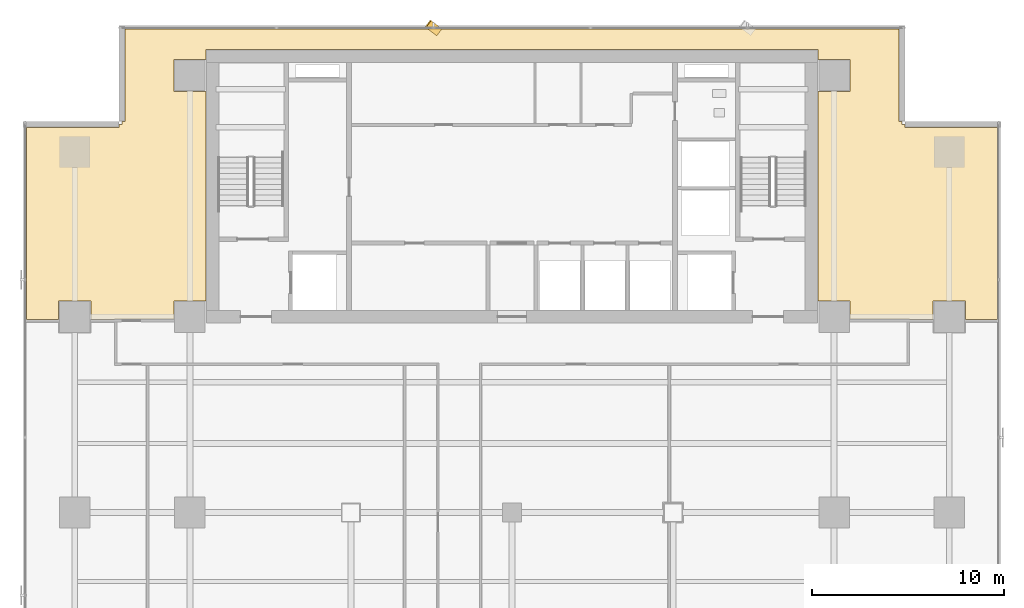
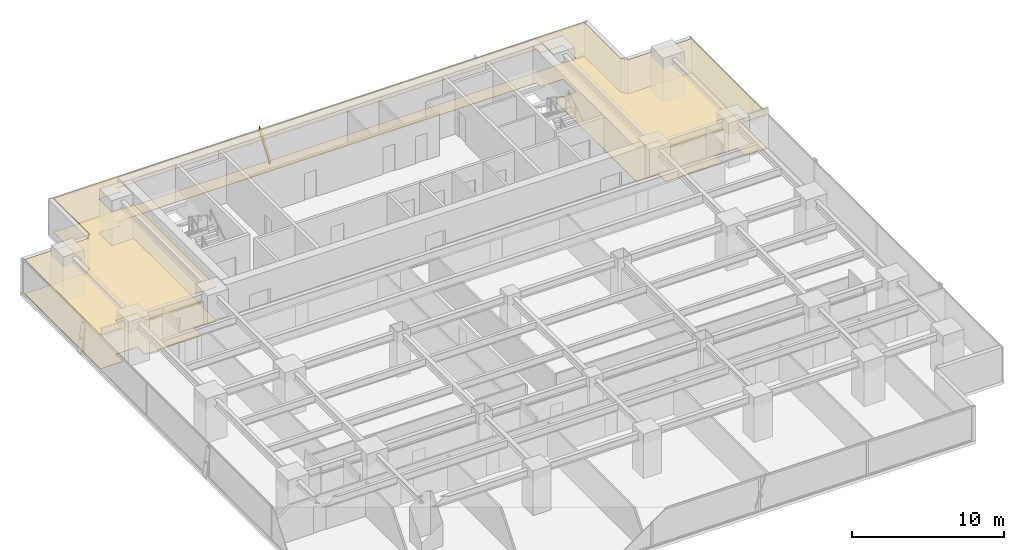
# One storey, part 34 of 36: 2 coverings, 1 shading device.
"""IFC4 building model written with IfcOpenShell, lengths in metres."""

from ifc_helpers import new_model, si_unit, direction, frame, origin, origin_2d, place, context, subcontext, project, spatial, polyline, rectangle, outline, extrude, source, transform, mapped, material, layer, layer_set, material_profile, profile_set, type_object, element, save


model = new_model("IFC4")

# Units and contexts
model_context = context("Model", 3, precision=1e-05, world=origin(), true_north=direction((0.0, 1.0)))
body_context = subcontext(model_context, "Body", "Model", "MODEL_VIEW")
ifc_project = project(units=[si_unit("LENGTHUNIT", "METRE"), si_unit("AREAUNIT", "SQUARE_METRE"), si_unit("VOLUMEUNIT", "CUBIC_METRE"), si_unit("PLANEANGLEUNIT", "RADIAN"), si_unit("MASSUNIT", "GRAM", prefix="KILO")], contexts=[model_context])

# Site, building, storey
site_placement = place(None, origin())
site = spatial("IfcSite", under=ifc_project, at=site_placement, CompositionType="ELEMENT")
building_placement = place(site_placement, origin())
building = spatial("IfcBuilding", under=site, at=building_placement, Name="Sumidabori Civic Tower", CompositionType="ELEMENT")
storey_placement = place(building_placement, frame((0.0, 0.0, 84.800048828125)))
storey = spatial("IfcBuildingStorey", under=building, at=storey_placement, Name="L21", CompositionType="ELEMENT", Elevation=84.800048828125)

# Coverings
ifc_material_1 = material(Name="Anodised Bronze Baffle Ceiling")
ifc_layer_1 = layer(ifc_material_1, 0.054931640625, Name="Anodised Bronze Baffle Ceiling")
ifc_layer_set_1 = layer_set([ifc_layer_1], Name="Anodised Bronze Baffle Ceiling")
covering_type_1 = type_object("IfcCoveringType", Name="CV-CEIL-AC3", PredefinedType="CEILING", material=ifc_layer_set_1)
covering_1_placement = place(storey_placement, frame((0.0, 0.0, 2.7099609375)))
element("IfcCovering", 1, at=covering_1_placement, inside=storey, type_object=covering_type_1, Name="Room Acoustic Ceiling L21-01", PredefinedType="CEILING", context=body_context, shape_type="SweptSolid", body=[
    extrude(outline(polyline([(-25.330078125, 10.080078125), (-25.330078125, 20.072021484375), (-20.491943359375, 20.072021484375), (-20.491943359375, 20.22998046875), (-20.330078125, 20.22998046875), (-20.330078125, 20.39208984375), (-20.172119140625, 20.39208984375), (-20.172119140625, 25.22998046875), (20.172119140625, 25.22998046875), (20.172119140625, 20.39208984375), (20.330078125, 20.39208984375), (20.330078125, 20.22998046875), (20.491943359375, 20.22998046875), (20.491943359375, 20.072021484375), (25.330078125, 20.072021484375), (25.330078125, 10.080078125), (23.639892578125, 10.080078125), (23.639892578125, 11.0400390625), (21.9599609375, 11.0400390625), (21.9599609375, 10.080078125), (20.739990234375, 10.080078125), (20.739990234375, 10.090087890625), (17.639892578125, 10.090087890625), (17.639892578125, 11.0400390625), (15.952880859375, 11.0400390625), (15.952880859375, 21.9599609375), (17.639892578125, 21.9599609375), (17.639892578125, 23.639892578125), (15.952880859375, 23.639892578125), (15.952880859375, 24.153076171875), (-15.952880859375, 24.153076171875), (-15.952880859375, 23.639892578125), (-17.639892578125, 23.639892578125), (-17.639892578125, 21.9599609375), (-15.952880859375, 21.9599609375), (-15.952880859375, 11.0400390625), (-17.639892578125, 11.0400390625), (-17.639892578125, 10.090087890625), (-20.739990234375, 10.090087890625), (-20.739990234375, 10.080078125), (-21.9599609375, 10.080078125), (-21.9599609375, 11.0400390625), (-23.639892578125, 11.0400390625), (-23.639892578125, 10.080078125), (-25.330078125, 10.080078125)])), origin(), (0.0, 0.0, 1.0), 0.054931640625),
])
ifc_material_2 = material(Name="Honed Terrazzo Tile Flooring")
ifc_layer_2 = layer(ifc_material_2, 0.030029296875, Name="Honed Terrazzo Tile Flooring")
ifc_layer_set_2 = layer_set([ifc_layer_2], Name="Honed Terrazzo Tile Flooring")
covering_type_2 = type_object("IfcCoveringType", Name="CV-FLR-TER", PredefinedType="FLOORING", material=ifc_layer_set_2)
covering_2_placement = place(storey_placement, origin())
element("IfcCovering", 2, at=covering_2_placement, inside=storey, type_object=covering_type_2, Name="Room Terrazzo Floor L21-01", PredefinedType="FLOORING", context=body_context, shape_type="SweptSolid", body=[
    extrude(outline(polyline([(-25.330078125, 10.080078125), (-25.330078125, 20.072021484375), (-20.491943359375, 20.072021484375), (-20.491943359375, 20.22998046875), (-20.330078125, 20.22998046875), (-20.330078125, 20.39208984375), (-20.172119140625, 20.39208984375), (-20.172119140625, 25.22998046875), (20.172119140625, 25.22998046875), (20.172119140625, 20.39208984375), (20.330078125, 20.39208984375), (20.330078125, 20.22998046875), (20.491943359375, 20.22998046875), (20.491943359375, 20.072021484375), (25.330078125, 20.072021484375), (25.330078125, 10.080078125), (23.639892578125, 10.080078125), (23.639892578125, 11.0400390625), (21.9599609375, 11.0400390625), (21.9599609375, 10.080078125), (20.739990234375, 10.080078125), (20.739990234375, 10.090087890625), (17.639892578125, 10.090087890625), (17.639892578125, 11.0400390625), (15.952880859375, 11.0400390625), (15.952880859375, 21.9599609375), (17.639892578125, 21.9599609375), (17.639892578125, 23.639892578125), (15.952880859375, 23.639892578125), (15.952880859375, 24.153076171875), (-15.952880859375, 24.153076171875), (-15.952880859375, 23.639892578125), (-17.639892578125, 23.639892578125), (-17.639892578125, 21.9599609375), (-15.952880859375, 21.9599609375), (-15.952880859375, 11.0400390625), (-17.639892578125, 11.0400390625), (-17.639892578125, 10.090087890625), (-20.739990234375, 10.090087890625), (-20.739990234375, 10.080078125), (-21.9599609375, 10.080078125), (-21.9599609375, 11.0400390625), (-23.639892578125, 11.0400390625), (-23.639892578125, 10.080078125), (-25.330078125, 10.080078125)])), origin(), (0.0, 0.0, 1.0), 0.030029296875),
])

# Shading device
ifc_material_3 = material(Name="Anodised Bronze Aluminium AW-6063-T6", Category="aluminium")
ifc_material_profile = material_profile(ifc_material_3, rectangle(XDim=0.06005859375, YDim=0.449951171875, at=origin_2d()), Name="BRONZE FIN 450x60")
ifc_profile_set = profile_set([ifc_material_profile], Name="Anodised Bronze Aluminium AW-6063-T6")
shading_device_type = type_object("IfcShadingDeviceType", Name="SH-FIN-450", PredefinedType="USERDEFINED", material=ifc_profile_set)
shared_shape = source(origin(), body_context, "Body", "SweptSolid", [
    extrude(rectangle(XDim=0.06005859375, YDim=0.449951171875, at=origin_2d()), origin(), (0.0, 0.0, 1.0), 2.769775390625),
])
shading_device_placement = place(storey_placement, frame((-3.81396484375, 25.070068359375, 0.02001953125), z_axis=(-0.202198633998, 0.151604904305, 0.967538973582), x_axis=(0.774112159528, -0.58041539424, 0.252721852241)))
element("IfcShadingDevice", 3, at=shading_device_placement, inside=storey, type_object=shading_device_type, Name="Bronze Anodised Diagonal Fin L21-03", ObjectType="FIN", PredefinedType="USERDEFINED", context=body_context, shape_type="MappedRepresentation", body=[
    mapped(shared_shape, transform((0.0, 0.0, 0.0), x_axis=(1.0, 0.0, 0.0), y_axis=(0.0, 1.0, 0.0), z_axis=(0.0, 0.0, 1.0), scale=1.0)),
])

save(model, "model.ifc")
